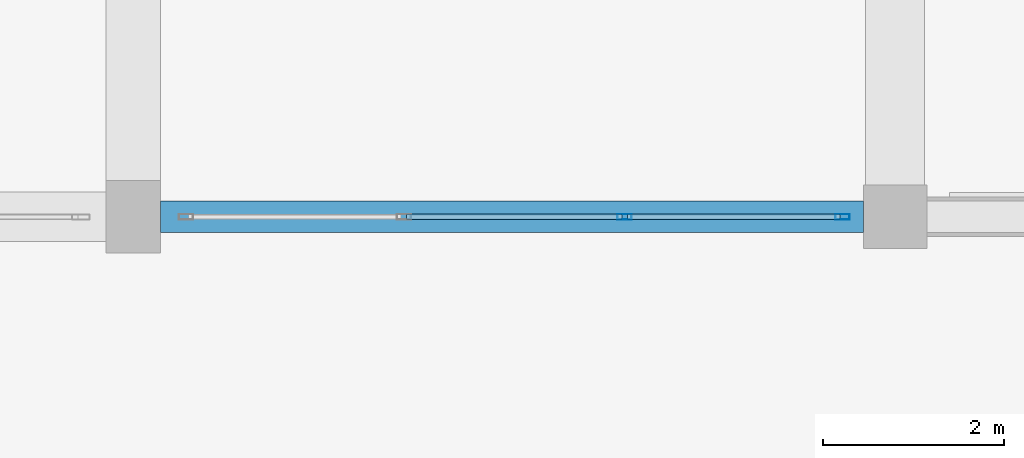
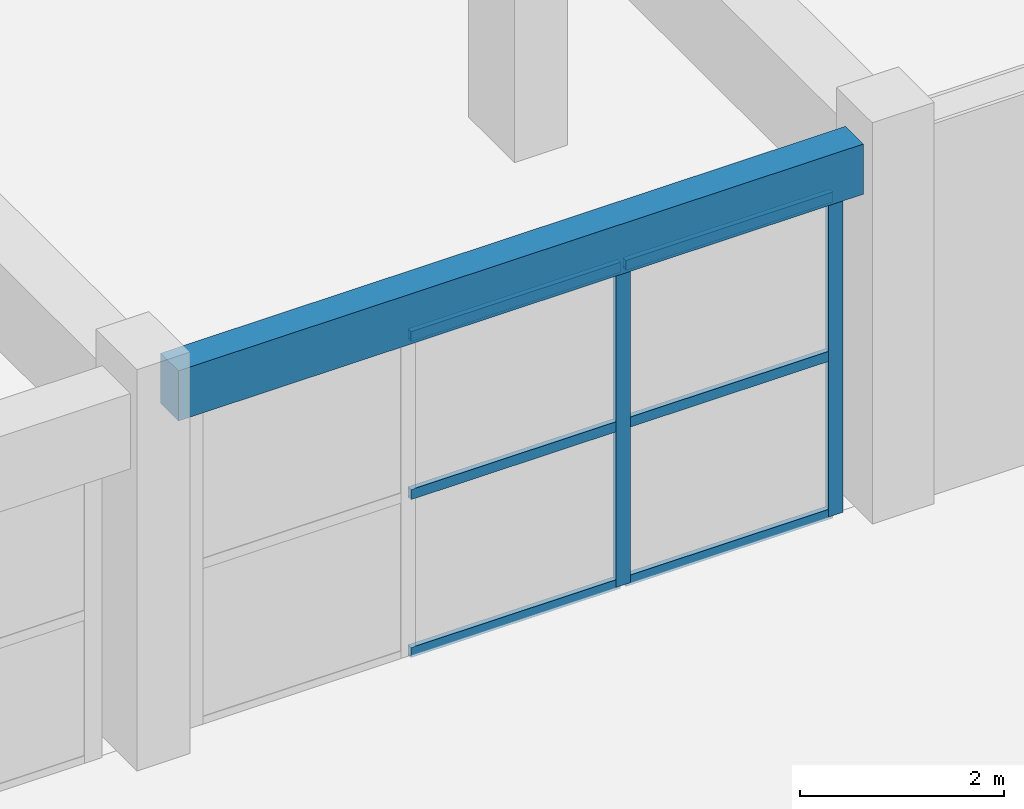
# One storey, part 17 of 72: 8 members, 1 beam, 1 element without a shape of its own.
"""IFC4 building model written with IfcOpenShell, lengths in metres."""

from ifc_helpers import new_model, si_unit, direction, frame, origin, origin_2d, place, context, subcontext, project, spatial, rectangle, hollow_rectangle, extrude, material, material_profile, profile_set, type_object, element, aggregate, save


model = new_model("IFC4")

# Units and contexts
model_context = context("Model", 3, precision=1e-05, world=origin(), true_north=direction((0.0, 1.0)))
body_context = subcontext(model_context, "Body", "Model", "MODEL_VIEW")
ifc_project = project(units=[si_unit("LENGTHUNIT", "METRE"), si_unit("AREAUNIT", "SQUARE_METRE"), si_unit("VOLUMEUNIT", "CUBIC_METRE"), si_unit("PLANEANGLEUNIT", "RADIAN"), si_unit("MASSUNIT", "GRAM", prefix="KILO")], contexts=[model_context])

# Site, building, storey
site_placement = place(None, origin())
site = spatial("IfcSite", under=ifc_project, at=site_placement, CompositionType="ELEMENT")
building_placement = place(site_placement, origin())
building = spatial("IfcBuilding", under=site, at=building_placement, Name="Korsvaeld Concert Hall", CompositionType="ELEMENT")
storey_placement = place(building_placement, origin())
storey = spatial("IfcBuildingStorey", under=building, at=storey_placement, Name="L00", CompositionType="ELEMENT", Elevation=0.0)

# Beam
ifc_material_1 = material(Name="Concrete C35/45", Category="concrete")
ifc_material_profile_1 = material_profile(ifc_material_1, rectangle(XDim=0.35009765625, YDim=0.60009765625, at=origin_2d()), Name="RC 350x600")
ifc_profile_set_1 = profile_set([ifc_material_profile_1], Name="Concrete C35/45")
beam_type = type_object("IfcBeamType", Name="BM-RC-350x600", PredefinedType="T_BEAM", material=ifc_profile_set_1)
beam_placement = place(storey_placement, frame((101.10009765625, 28.800048828125, 4.139892578125), z_axis=(1.0, 0.0, 0.0), x_axis=(0.0, 1.0, 0.0)))
element("IfcBeam", 1, at=beam_placement, inside=storey, type_object=beam_type, Name="Primary girder 14-15/E L00", PredefinedType="T_BEAM", context=body_context, shape_type="SweptSolid", body=[
    extrude(rectangle(XDim=0.35009765625, YDim=0.60009765625, at=origin_2d()), origin(), (0.0, 0.0, 1.0), 7.75),
])

# Curtain wall, members
ifc_material_2 = material(Name="Anodised bronze and ceramic-fritted safety glass", Category="glass")
curtain_wall_type = type_object("IfcCurtainWallType", Name="CW-TYPE-09", PredefinedType="USERDEFINED", material=ifc_material_2)
curtain_wall_placement = place(storey_placement, origin())
curtain_wall = element("IfcCurtainWall", 2, at=curtain_wall_placement, inside=storey, type_object=curtain_wall_type, Name="Wintergarden foyer curtain wall L00-01", ObjectType="CURTAIN WALL", PredefinedType="USERDEFINED")
ifc_material_3 = material(Name="Anodised architectural bronze aluminium", Category="aluminium")
ifc_material_profile_2 = material_profile(ifc_material_3, hollow_rectangle(XDim=0.06005859375, YDim=0.159912109375, WallThickness=0.00390625, at=origin_2d()), Name="CWM 160x60x4")
ifc_profile_set_2 = profile_set([ifc_material_profile_2], Name="Anodised architectural bronze aluminium")
member_type_1 = type_object("IfcMemberType", Name="CWM-ALUM-160x60", PredefinedType="MULLION", material=ifc_profile_set_2)
member_1_placement = place(storey_placement, frame((108.6201171875, 28.800048828125, 0.0), z_axis=(0.0, 0.0, 1.0), x_axis=(0.0, -1.0, 0.0)))
member_1 = element("IfcMember", 3, at=member_1_placement, type_object=member_type_1, Name="CW-09 mullion 1", PredefinedType="MULLION", context=body_context, shape_type="SweptSolid", body=[
    extrude(hollow_rectangle(XDim=0.06005859375, YDim=0.159912109375, WallThickness=0.00390625, at=origin_2d()), origin(), (0.0, 0.0, 1.0), 3.840087890625),
])
member_2_placement = place(storey_placement, frame((106.216552734375, 28.800048828125, 0.0), z_axis=(0.0, 0.0, 1.0), x_axis=(0.0, -1.0, 0.0)))
member_2 = element("IfcMember", 4, at=member_2_placement, type_object=member_type_1, Name="CW-09 mullion 2", PredefinedType="MULLION", context=body_context, shape_type="SweptSolid", body=[
    extrude(hollow_rectangle(XDim=0.06005859375, YDim=0.159912109375, WallThickness=0.00390625, at=origin_2d()), origin(), (0.0, 0.0, 1.0), 3.840087890625),
])
ifc_material_profile_3 = material_profile(ifc_material_3, hollow_rectangle(XDim=0.06005859375, YDim=0.1201171875, WallThickness=0.00390625, at=origin_2d()), Name="CWT 120x60x4")
ifc_profile_set_3 = profile_set([ifc_material_profile_3], Name="Anodised architectural bronze aluminium")
member_type_2 = type_object("IfcMemberType", Name="CWT-ALUM-120x60", PredefinedType="USERDEFINED", material=ifc_profile_set_3)
member_3_placement = place(storey_placement, frame((108.590087890625, 28.800048828125, 0.030029296875), z_axis=(-1.0, 0.0, 0.0), x_axis=(0.0, -1.0, 0.0)))
member_3 = element("IfcMember", 5, at=member_3_placement, type_object=member_type_2, Name="CW-09 transom 1.1", ObjectType="TRANSOM", PredefinedType="USERDEFINED", context=body_context, shape_type="SweptSolid", body=[
    extrude(hollow_rectangle(XDim=0.06005859375, YDim=0.1201171875, WallThickness=0.00390625, at=origin_2d()), origin(), (0.0, 0.0, 1.0), 2.343505859375),
])
member_4_placement = place(storey_placement, frame((108.590087890625, 28.800048828125, 1.919921875), z_axis=(-1.0, 0.0, 0.0), x_axis=(0.0, -1.0, 0.0)))
member_4 = element("IfcMember", 6, at=member_4_placement, type_object=member_type_2, Name="CW-09 transom 1.2", ObjectType="TRANSOM", PredefinedType="USERDEFINED", context=body_context, shape_type="SweptSolid", body=[
    extrude(hollow_rectangle(XDim=0.06005859375, YDim=0.1201171875, WallThickness=0.00390625, at=origin_2d()), origin(), (0.0, 0.0, 1.0), 2.343505859375),
])
member_5_placement = place(storey_placement, frame((108.590087890625, 28.800048828125, 3.81005859375), z_axis=(-1.0, 0.0, 0.0), x_axis=(0.0, -1.0, 0.0)))
member_5 = element("IfcMember", 7, at=member_5_placement, type_object=member_type_2, Name="CW-09 transom 1.3", ObjectType="TRANSOM", PredefinedType="USERDEFINED", context=body_context, shape_type="SweptSolid", body=[
    extrude(hollow_rectangle(XDim=0.06005859375, YDim=0.1201171875, WallThickness=0.00390625, at=origin_2d()), origin(), (0.0, 0.0, 1.0), 2.343505859375),
])
member_6_placement = place(storey_placement, frame((106.186767578125, 28.800048828125, 0.030029296875), z_axis=(-1.0, 0.0, 0.0), x_axis=(0.0, -1.0, 0.0)))
member_6 = element("IfcMember", 8, at=member_6_placement, type_object=member_type_2, Name="CW-09 transom 2.1", ObjectType="TRANSOM", PredefinedType="USERDEFINED", context=body_context, shape_type="SweptSolid", body=[
    extrude(hollow_rectangle(XDim=0.06005859375, YDim=0.1201171875, WallThickness=0.00390625, at=origin_2d()), origin(), (0.0, 0.0, 1.0), 2.37353515625),
])
member_7_placement = place(storey_placement, frame((106.186767578125, 28.800048828125, 1.919921875), z_axis=(-1.0, 0.0, 0.0), x_axis=(0.0, -1.0, 0.0)))
member_7 = element("IfcMember", 9, at=member_7_placement, type_object=member_type_2, Name="CW-09 transom 2.2", ObjectType="TRANSOM", PredefinedType="USERDEFINED", context=body_context, shape_type="SweptSolid", body=[
    extrude(hollow_rectangle(XDim=0.06005859375, YDim=0.1201171875, WallThickness=0.00390625, at=origin_2d()), origin(), (0.0, 0.0, 1.0), 2.37353515625),
])
member_8_placement = place(storey_placement, frame((106.186767578125, 28.800048828125, 3.81005859375), z_axis=(-1.0, 0.0, 0.0), x_axis=(0.0, -1.0, 0.0)))
member_8 = element("IfcMember", 10, at=member_8_placement, type_object=member_type_2, Name="CW-09 transom 2.3", ObjectType="TRANSOM", PredefinedType="USERDEFINED", context=body_context, shape_type="SweptSolid", body=[
    extrude(hollow_rectangle(XDim=0.06005859375, YDim=0.1201171875, WallThickness=0.00390625, at=origin_2d()), origin(), (0.0, 0.0, 1.0), 2.37353515625),
])
aggregate(curtain_wall, [member_1, member_2, member_3, member_4, member_5, member_6, member_7, member_8])

save(model, "model.ifc")
